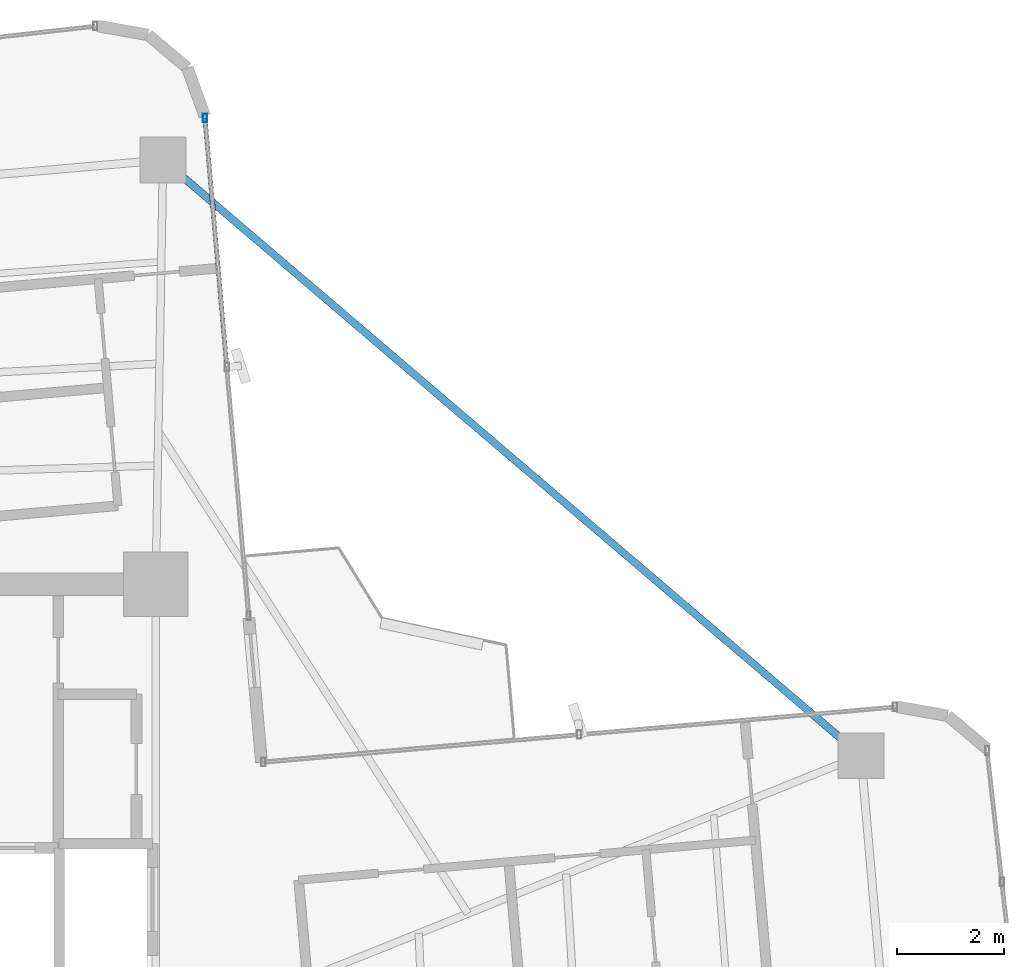
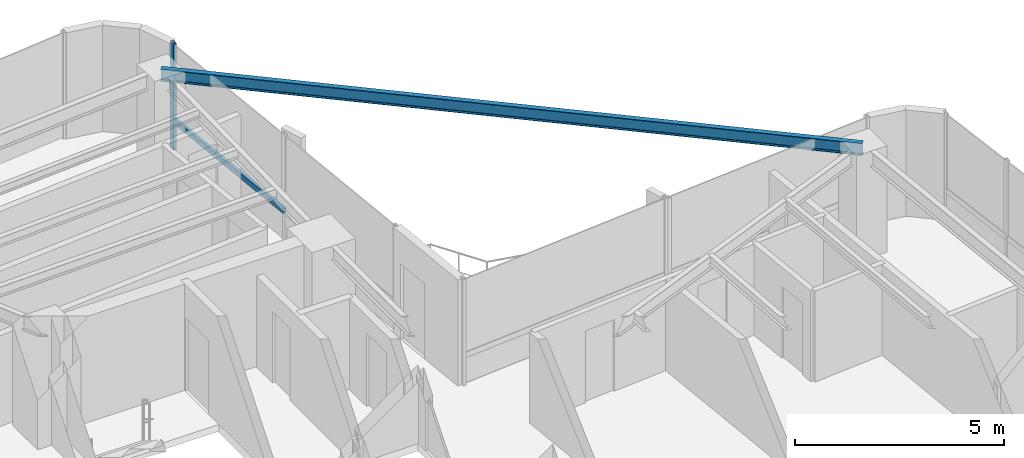
# One storey, part 17 of 24: 2 members, 1 beam, 1 element without a shape of its own.
"""IFC4 building model written with IfcOpenShell, lengths in metres."""

from ifc_helpers import new_model, si_unit, direction, frame, origin, origin_2d, place, context, subcontext, project, spatial, hollow_rectangle, i_section, extrude, source, transform, mapped, material, material_profile, profile_set, type_object, element, aggregate, save


model = new_model("IFC4")

# Units and contexts
model_context = context("Model", 3, precision=1e-05, world=origin(), true_north=direction((0.0, 1.0)))
body_context = subcontext(model_context, "Body", "Model", "MODEL_VIEW")
ifc_project = project(units=[si_unit("LENGTHUNIT", "METRE"), si_unit("AREAUNIT", "SQUARE_METRE"), si_unit("VOLUMEUNIT", "CUBIC_METRE"), si_unit("PLANEANGLEUNIT", "RADIAN"), si_unit("MASSUNIT", "GRAM", prefix="KILO")], contexts=[model_context])

# Site, building, storey
site_placement = place(None, origin())
site = spatial("IfcSite", under=ifc_project, at=site_placement, CompositionType="ELEMENT")
building_placement = place(site_placement, origin())
building = spatial("IfcBuilding", under=site, at=building_placement, Name="Sahyath Konkavel Grand Hotel", CompositionType="ELEMENT")
storey_placement = place(building_placement, frame((0.0, 0.0, 175.199951171875)))
storey = spatial("IfcBuildingStorey", under=building, at=storey_placement, Name="L48", CompositionType="ELEMENT", Elevation=175.199951171875)

# Beam
ifc_material_1 = material(Name="Steel E350", Category="steel")
ifc_material_profile_1 = material_profile(ifc_material_1, i_section(OverallWidth=0.139892578125, OverallDepth=0.35009765625, WebThickness=0.008056640625, FlangeThickness=0.01416015625, FilletRadius=0.013916015625, at=origin_2d()), Name="ISMB 350")
ifc_profile_set_1 = profile_set([ifc_material_profile_1], Name="Steel E350")
beam_type = type_object("IfcBeamType", Name="BM-ISMB350", PredefinedType="BEAM", material=ifc_profile_set_1)
shared_shape_1 = source(origin(), body_context, "Body", "SweptSolid", [
    extrude(i_section(OverallWidth=0.139892578125, OverallDepth=0.35009765625, WebThickness=0.008056640625, FlangeThickness=0.01416015625, FilletRadius=0.013916015625, at=origin_2d()), origin(), (0.0, 0.0, 1.0), 17.11279296875),
])
beam_placement = place(storey_placement, frame((16.9541015625, 7.00439453125, 2.93505859375), z_axis=(-0.760711911164, 0.649089661151, 0.0), x_axis=(-0.649089661151, -0.760711911164, 0.0)))
element("IfcBeam", 1, at=beam_placement, inside=storey, type_object=beam_type, Name="L48 Re-Entrant Tie Beam NE", PredefinedType="BEAM", context=body_context, shape_type="MappedRepresentation", body=[
    mapped(shared_shape_1, transform((0.0, 0.0, 0.0), scale=1.0)),
])

# Curtain wall, members
ifc_material_2 = material(Name="Anodised Bronze Aluminium & Low-E Glazing", Category="aluminium")
curtain_wall_type = type_object("IfcCurtainWallType", Name="CW-ZONE3", PredefinedType="NOTDEFINED", material=ifc_material_2)
curtain_wall_placement = place(storey_placement, origin())
curtain_wall = element("IfcCurtainWall", 2, at=curtain_wall_placement, inside=storey, type_object=curtain_wall_type, Name="L48 Unitised Curtain Wall F8", PredefinedType="NOTDEFINED")
ifc_material_3 = material(Name="Anodised Bronze Aluminium", Category="aluminium")
ifc_material_profile_2 = material_profile(ifc_material_3, hollow_rectangle(XDim=0.080078125, YDim=0.159912109375, WallThickness=0.006103515625, at=origin_2d()), Name="RHS 160x80x6")
ifc_profile_set_2 = profile_set([ifc_material_profile_2], Name="Anodised Bronze Aluminium")
member_type_1 = type_object("IfcMemberType", Name="CW-MUL-160", PredefinedType="MULLION", material=ifc_profile_set_2)
shared_shape_2 = source(origin(), body_context, "Body", "SweptSolid", [
    extrude(hollow_rectangle(XDim=0.080078125, YDim=0.159912109375, WallThickness=0.006103515625, at=origin_2d()), origin(), (0.0, 0.0, 1.0), 3.110107421875),
])
member_1_placement = place(storey_placement, frame((4.72119140625, 18.893310546875, 0.0), z_axis=(0.0, 0.0, 1.0), x_axis=(1.0, 0.0, 0.0)))
member_1 = element("IfcMember", 3, at=member_1_placement, type_object=member_type_1, Name="L48 Curtain Wall Mullion F8-2", PredefinedType="MULLION", context=body_context, shape_type="MappedRepresentation", body=[
    mapped(shared_shape_2, transform((0.0, 0.0, 0.0), scale=1.0)),
])
ifc_material_profile_3 = material_profile(ifc_material_3, hollow_rectangle(XDim=0.080078125, YDim=0.159912109375, WallThickness=0.006103515625, at=origin_2d()), Name="RHS 160x80x6")
ifc_profile_set_3 = profile_set([ifc_material_profile_3], Name="Anodised Bronze Aluminium")
member_type_2 = type_object("IfcMemberType", Name="CW-TRN-160", PredefinedType="USERDEFINED", material=ifc_profile_set_3)
shared_shape_3 = source(origin(), body_context, "Body", "SweptSolid", [
    extrude(hollow_rectangle(XDim=0.080078125, YDim=0.159912109375, WallThickness=0.006103515625, at=origin_2d()), origin(), (0.0, 0.0, 1.0), 4.659912109375),
])
member_2_placement = place(storey_placement, frame((5.12744140625, 14.251220703125, 0.85009765625), z_axis=(-0.087181248758, 0.996192466276, 0.0), x_axis=(-0.996192466276, -0.087181248758, 0.0)))
member_2 = element("IfcMember", 4, at=member_2_placement, type_object=member_type_2, Name="L48 Curtain Wall Transom F8-1-spandrel", ObjectType="TRANSOM", PredefinedType="USERDEFINED", context=body_context, shape_type="MappedRepresentation", body=[
    mapped(shared_shape_3, transform((0.0, 0.0, 0.0), scale=1.0)),
])
aggregate(curtain_wall, [member_1, member_2])

save(model, "model.ifc")
